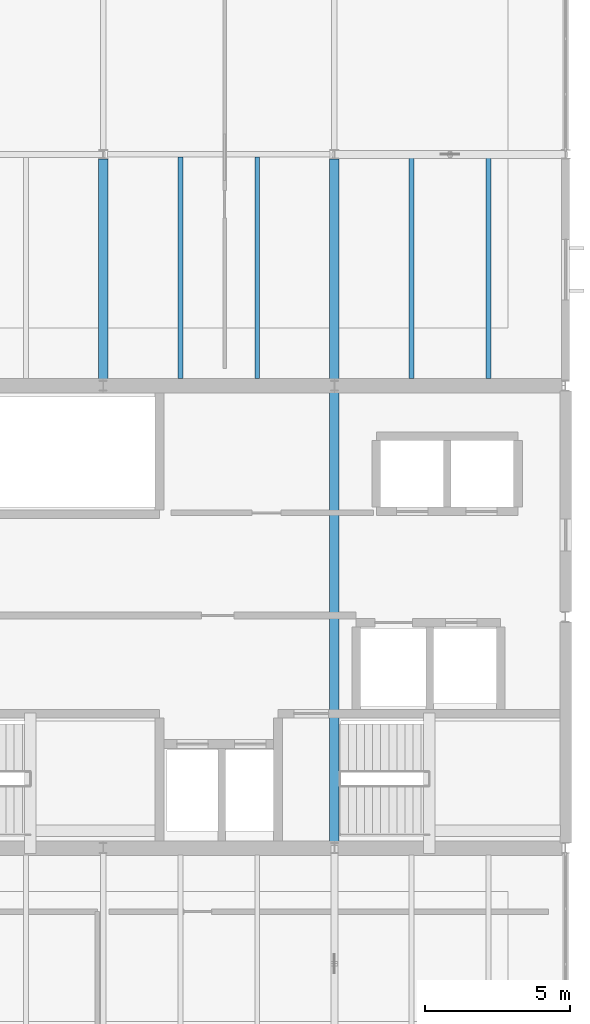
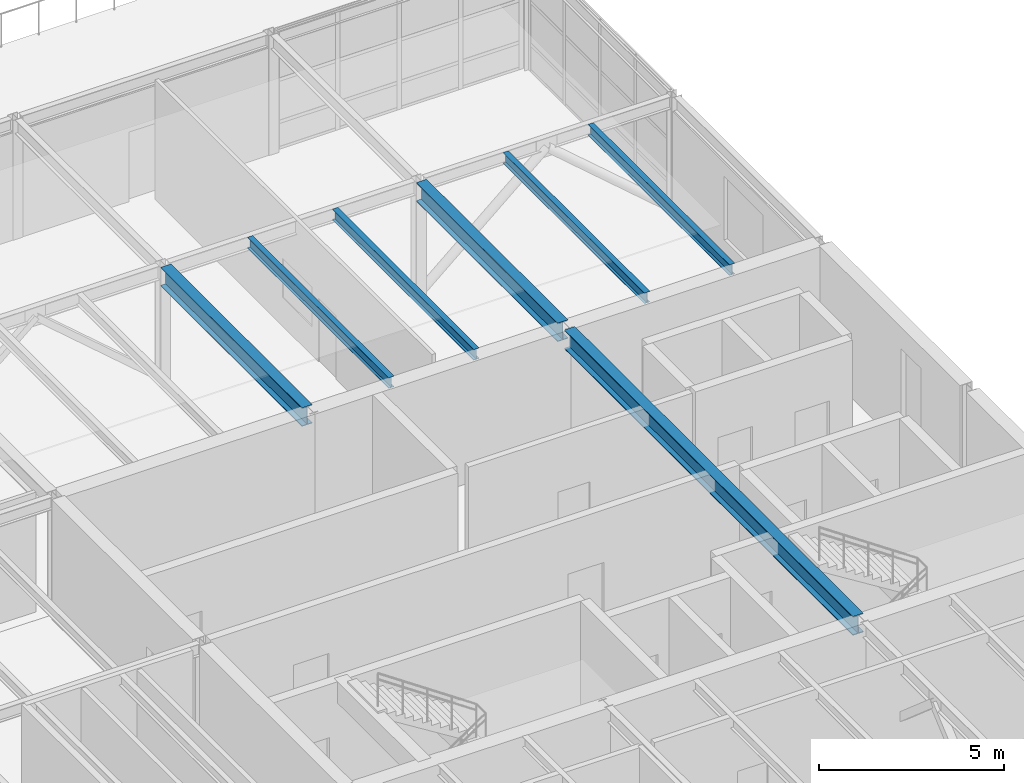
# One storey, part 6 of 15: 7 beams.
"""IFC4 building model written with IfcOpenShell, lengths in metres."""

import ifcopenshell
import ifcopenshell.guid

model = None  # the IFC model being written
_history = None  # IfcOwnerHistory: only IFC2X3 demands one
_inside = {}  # id of a spatial element -> (the spatial element, [elements in it])
_under = {}  # id of a project, library or spatial element -> (it, [spatial elements below it])
_declared = {}  # id of a project -> (the project, [libraries it declares])
_typed = {}  # id of a type object -> (the type object, [elements of that type])
_made_of = {}  # id of a material, layer set ... -> (it, [elements and type objects made of it])


def new_model(schema):
    """Start an empty IFC model of exactly this schema.

    Asked for "IFC4X3", IfcOpenShell would pick the latest addendum, in which some entities
    have other attributes; the version numbers below select the first issue.
    IFC2X3 requires an IfcOwnerHistory on every rooted entity: one is made here for all.
    """
    global model, _history
    if schema == "IFC4X3":
        model = ifcopenshell.file(schema_version=(4, 3, 0, 0))
    else:
        model = ifcopenshell.file(schema=schema)
    _inside.clear()
    _under.clear()
    _declared.clear()
    _typed.clear()
    _made_of.clear()
    _history = None
    if model.schema == "IFC2X3":
        org = make("IfcOrganization", Name="unknown")
        user = make(
            "IfcPersonAndOrganization",
            ThePerson=make("IfcPerson", FamilyName="unknown"),
            TheOrganization=org,
        )
        app = make(
            "IfcApplication",
            ApplicationDeveloper=org,
            Version="unknown",
            ApplicationFullName="unknown",
            ApplicationIdentifier="unknown",
        )
        _history = make(
            "IfcOwnerHistory",
            OwningUser=user,
            OwningApplication=app,
            ChangeAction="ADDED",
            CreationDate=0,
        )
    return model


def make(cls, **values):
    """One entity of the class cls with the attributes given. An attribute that is None is left unset."""
    return model.create_entity(
        cls, **{name: value for name, value in values.items() if value is not None}
    )


def rooted(cls, **values):
    """An entity with a GlobalId (a new one), such as an element, a storey or a relation."""
    return make(cls, GlobalId=ifcopenshell.guid.new(), OwnerHistory=_history, **values)


def si_unit(unit_type, name, prefix=None):
    """IfcSIUnit, for example si_unit("LENGTHUNIT", "METRE", prefix="MILLI")."""
    return make("IfcSIUnit", UnitType=unit_type, Prefix=prefix, Name=name)


def assignment(units):
    """IfcUnitAssignment: the units of a project."""
    return None if units is None else make("IfcUnitAssignment", Units=units)


def point(xyz):
    """IfcCartesianPoint."""
    return None if xyz is None else make("IfcCartesianPoint", Coordinates=xyz)


def direction(xyz):
    """IfcDirection."""
    return None if xyz is None else make("IfcDirection", DirectionRatios=xyz)


def frame(location, z_axis=None, x_axis=None):
    """IfcAxis2Placement3D, a coordinate frame: its origin and axes. An axis left out is left unset."""
    return make(
        "IfcAxis2Placement3D",
        Location=point(location),
        Axis=direction(z_axis),
        RefDirection=direction(x_axis),
    )


def frame_2d(location, x_axis=None):
    """IfcAxis2Placement2D, a coordinate frame in the plane: its origin and x axis."""
    return make(
        "IfcAxis2Placement2D", Location=point(location), RefDirection=direction(x_axis)
    )


def origin():
    """The frame at (0, 0, 0) with its axes left unset."""
    return frame((0.0, 0.0, 0.0))


def origin_2d():
    """The frame at (0, 0) in the plane with its x axis left unset."""
    return frame_2d((0.0, 0.0))


def place(relative_to, where):
    """IfcLocalPlacement: puts the frame where relative to a parent placement (None: the world)."""
    return make(
        "IfcLocalPlacement", PlacementRelTo=relative_to, RelativePlacement=where
    )


def context(
    kind, dimensions, precision=None, world=None, true_north=None, identifier=None
):
    """IfcGeometricRepresentationContext, for example the 3D "Model" context."""
    return make(
        "IfcGeometricRepresentationContext",
        ContextIdentifier=identifier,
        ContextType=kind,
        CoordinateSpaceDimension=dimensions,
        Precision=precision,
        WorldCoordinateSystem=world,
        TrueNorth=true_north,
    )


def subcontext(parent, identifier, kind, view, scale=None):
    """IfcGeometricRepresentationSubContext, for example "Body" below "Model"."""
    return make(
        "IfcGeometricRepresentationSubContext",
        ContextIdentifier=identifier,
        ContextType=kind,
        ParentContext=parent,
        TargetScale=scale,
        TargetView=view,
    )


def project(units=None, contexts=None):
    """IfcProject with its units and contexts."""
    return rooted(
        "IfcProject",
        Name="project",
        RepresentationContexts=contexts,
        UnitsInContext=assignment(units),
    )


def spatial(cls, under=None, at=None, **own):
    """A site, building, storey or space (cls), placed at a placement, below another one or the project."""
    s = rooted(cls, ObjectPlacement=at, **own)
    if under is not None:
        _under.setdefault(under.id(), (under, []))[1].append(s)
    return s


def profile(cls, at=None, kind="AREA", **sizes):
    """A parametric profile (cls). Its sizes go by their IFC names, for example OverallWidth=200.0."""
    return make(cls, ProfileType=kind, Position=at, **sizes)


def i_section(**sizes):
    """IfcIShapeProfileDef."""
    return profile("IfcIShapeProfileDef", **sizes)


def extrude(swept, where, along, depth):
    """IfcExtrudedAreaSolid: the profile swept, set in the frame where, extruded along a direction by depth."""
    return make(
        "IfcExtrudedAreaSolid",
        SweptArea=swept,
        Position=where,
        ExtrudedDirection=direction(along),
        Depth=depth,
    )


def shape(context_of_items, identifier, shape_type, items):
    """IfcShapeRepresentation: the items that make up one representation, for example the "Body"."""
    return make(
        "IfcShapeRepresentation",
        ContextOfItems=context_of_items,
        RepresentationIdentifier=identifier,
        RepresentationType=shape_type,
        Items=items,
    )


def material(Name=None, Category=None):
    """IfcMaterial."""
    return make("IfcMaterial", Name=Name, Category=Category)


def material_profile(
    of_material, cross_section, Name=None, Category=None, Priority=None
):
    """IfcMaterialProfile: a cross section and its material."""
    return make(
        "IfcMaterialProfile",
        Name=Name,
        Material=of_material,
        Profile=cross_section,
        Priority=Priority,
        Category=Category,
    )


def profile_set(profiles, Name=None, composite=None):
    """IfcMaterialProfileSet."""
    return make(
        "IfcMaterialProfileSet",
        Name=Name,
        MaterialProfiles=profiles,
        CompositeProfile=composite,
    )


def made_of(thing, what):
    """Note that an element or type object is made of a material, layer set ...; save() writes the relation."""
    if what is not None:
        _made_of.setdefault(what.id(), (what, []))[1].append(thing)
    return thing


def type_object(cls, material=None, **own):
    """A type object (cls), such as IfcWallType, which elements share."""
    return made_of(rooted(cls, **own), material)


def element(
    cls,
    number,
    at=None,
    inside=None,
    cuts=None,
    type_object=None,
    material=None,
    context=None,
    identifier="Body",
    shape_type=None,
    held_by="IfcProductDefinitionShape",
    body=None,
    shapes=None,
    **own,
):
    """One element of the class cls, such as IfcWall. Its Tag is "e" and its number.

    at: its placement. inside: the storey or other place that contains it. cuts: it is an
    opening in that element (IfcRelVoidsElement). A single representation is given by context,
    identifier, shape_type and body (its items); several are given by shapes. held_by: the class
    of the entity that holds the representations. save() writes the other relations.
    """
    e = rooted(cls, Tag="e%d" % number, ObjectPlacement=at, **own)
    if body is not None:
        shapes = [shape(context, identifier, shape_type, body)]
    if shapes is not None:
        e.Representation = make(held_by, Representations=shapes)
    if inside is not None:
        _inside.setdefault(inside.id(), (inside, []))[1].append(e)
    if cuts is not None:
        rooted(
            "IfcRelVoidsElement", RelatingBuildingElement=cuts, RelatedOpeningElement=e
        )
    if type_object is not None:
        _typed.setdefault(type_object.id(), (type_object, []))[1].append(e)
    return made_of(e, material)


def aggregate(whole, parts):
    """IfcRelAggregates: a whole, such as a stair, and the parts it consists of."""
    return rooted("IfcRelAggregates", RelatingObject=whole, RelatedObjects=parts)


def save(model, path):
    """Write the relations noted so far, then the file.

    IfcRelAggregates (storeys below a building ...), IfcRelContainedInSpatialStructure (elements
    in a storey), IfcRelDefinesByType, IfcRelAssociatesMaterial and IfcRelDeclares: one each for
    every whole, place, type object, material and project.
    """
    for whole, parts in _under.values():
        aggregate(whole, parts)
    for where, things in _inside.values():
        rooted(
            "IfcRelContainedInSpatialStructure",
            RelatedElements=things,
            RelatingStructure=where,
        )
    for kind, things in _typed.values():
        rooted("IfcRelDefinesByType", RelatedObjects=things, RelatingType=kind)
    for what, things in _made_of.values():
        rooted("IfcRelAssociatesMaterial", RelatedObjects=things, RelatingMaterial=what)
    for by, libraries in _declared.values():
        rooted("IfcRelDeclares", RelatingContext=by, RelatedDefinitions=libraries)
    model.write(path)


model = new_model("IFC4")

# Units and contexts
model_context = context("Model", 3, precision=1e-05, world=origin(), true_north=direction((0.0, 1.0)))
body_context = subcontext(model_context, "Body", "Model", "MODEL_VIEW")
ifc_project = project(units=[si_unit("LENGTHUNIT", "METRE"), si_unit("AREAUNIT", "SQUARE_METRE"), si_unit("VOLUMEUNIT", "CUBIC_METRE"), si_unit("PLANEANGLEUNIT", "RADIAN"), si_unit("MASSUNIT", "GRAM", prefix="KILO")], contexts=[model_context])

# Site, building, storey
site_placement = place(None, origin())
site = spatial("IfcSite", under=ifc_project, at=site_placement, CompositionType="ELEMENT")
building_placement = place(site_placement, origin())
building = spatial("IfcBuilding", under=site, at=building_placement, Name="Varnela Railside Interchange", CompositionType="ELEMENT")
storey_placement = place(building_placement, frame((0.0, 0.0, 32.199951171875)))
storey = spatial("IfcBuildingStorey", under=building, at=storey_placement, Name="L07", CompositionType="ELEMENT", Elevation=32.199951171875)

# Beams
ifc_material = material(Name="Steel AR 350 (350 MPa)", Category="steel")
ifc_material_profile_1 = material_profile(ifc_material, i_section(OverallWidth=0.324951171875, OverallDepth=0.615966796875, WebThickness=0.013916015625, FlangeThickness=0.021484375, at=origin_2d()), Name="W610x174")
ifc_profile_set_1 = profile_set([ifc_material_profile_1], Name="Steel AR 350 (350 MPa)")
beam_type_1 = type_object("IfcBeamType", Name="Core Tie Steel Girder B-13", PredefinedType="BEAM", material=ifc_profile_set_1)
for number, where, z_axis, x_axis, name in (
    (1, (20.0, 70.181396484375, 3.652099609375), (0.0, 1.0, 0.0), (-1.0, 0.0, 0.0), "Core Tie Steel Girder B-13 (L07) (BM-2770)"),
    (2, (28.0, 70.181396484375, 3.652099609375), (0.0, 1.0, 0.0), (-1.0, 0.0, 0.0), "Core Tie Steel Girder B-13 (L07) (BM-2774)"),
):
    element("IfcBeam", number, at=place(storey_placement, frame(where, z_axis=z_axis, x_axis=x_axis)), inside=storey, type_object=beam_type_1, Name=name, PredefinedType="BEAM", context=body_context, shape_type="SweptSolid", body=[
        extrude(i_section(OverallWidth=0.324951171875, OverallDepth=0.615966796875, WebThickness=0.013916015625, FlangeThickness=0.021484375, at=origin_2d()), origin(), (0.0, 0.0, 1.0), 7.66455078125),
    ])
ifc_material_profile_2 = material_profile(ifc_material, i_section(OverallWidth=0.1708984375, OverallDepth=0.35498046875, WebThickness=0.007080078125, FlangeThickness=0.01171875, at=origin_2d()), Name="W360x51")
ifc_profile_set_2 = profile_set([ifc_material_profile_2], Name="Steel AR 350 (350 MPa)")
beam_type_2 = type_object("IfcBeamType", Name="Plant Floor Joist J-02", PredefinedType="JOIST", material=ifc_profile_set_2)
for number, where, z_axis, x_axis, name in (
    (3, (22.669921875, 70.239990234375, 3.782470703125), (0.0, 1.0, 0.0), (-1.0, 0.0, 0.0), "Plant Floor Joist J-02 (L07) (BM-2740)"),
    (4, (25.330078125, 70.239990234375, 3.782470703125), (0.0, 1.0, 0.0), (-1.0, 0.0, 0.0), "Plant Floor Joist J-02 (L07) (BM-2741)"),
    (5, (30.669921875, 70.239990234375, 3.782470703125), (0.0, 1.0, 0.0), (-1.0, 0.0, 0.0), "Plant Floor Joist J-02 (L07) (BM-2744)"),
    (6, (33.330078125, 70.239990234375, 3.782470703125), (0.0, 1.0, 0.0), (-1.0, 0.0, 0.0), "Plant Floor Joist J-02 (L07) (BM-2745)"),
):
    element("IfcBeam", number, at=place(storey_placement, frame(where, z_axis=z_axis, x_axis=x_axis)), inside=storey, type_object=beam_type_2, Name=name, PredefinedType="JOIST", context=body_context, shape_type="SweptSolid", body=[
        extrude(i_section(OverallWidth=0.1708984375, OverallDepth=0.35498046875, WebThickness=0.007080078125, FlangeThickness=0.01171875, at=origin_2d()), origin(), (0.0, 0.0, 1.0), 7.6650390625),
    ])
ifc_material_profile_3 = material_profile(ifc_material, i_section(OverallWidth=0.327880859375, OverallDepth=0.6279296875, WebThickness=0.0166015625, FlangeThickness=0.027587890625, at=origin_2d()), Name="W610x217")
ifc_profile_set_3 = profile_set([ifc_material_profile_3], Name="Steel AR 350 (350 MPa)")
beam_type_3 = type_object("IfcBeamType", Name="Transfer Tie Steel Girder B-12", PredefinedType="BEAM", material=ifc_profile_set_3)
beam_placement = place(storey_placement, frame((28.0, 54.181396484375, 3.64599609375), z_axis=(0.0, 1.0, 0.0), x_axis=(-1.0, 0.0, 0.0)))
element("IfcBeam", 7, at=beam_placement, inside=storey, type_object=beam_type_3, Name="Transfer Tie Steel Girder B-12 (L07) (BM-2773)", PredefinedType="BEAM", context=body_context, shape_type="SweptSolid", body=[
    extrude(i_section(OverallWidth=0.327880859375, OverallDepth=0.6279296875, WebThickness=0.0166015625, FlangeThickness=0.027587890625, at=origin_2d()), origin(), (0.0, 0.0, 1.0), 15.63720703125),
])

save(model, "model.ifc")
